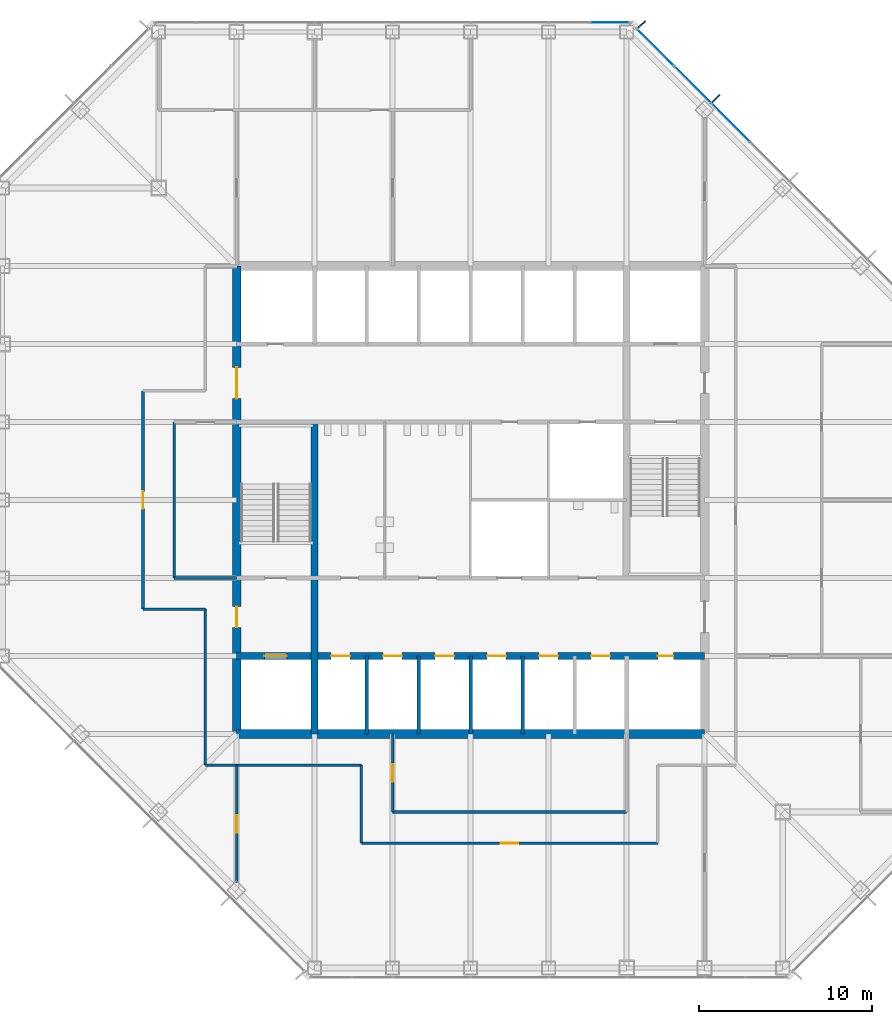
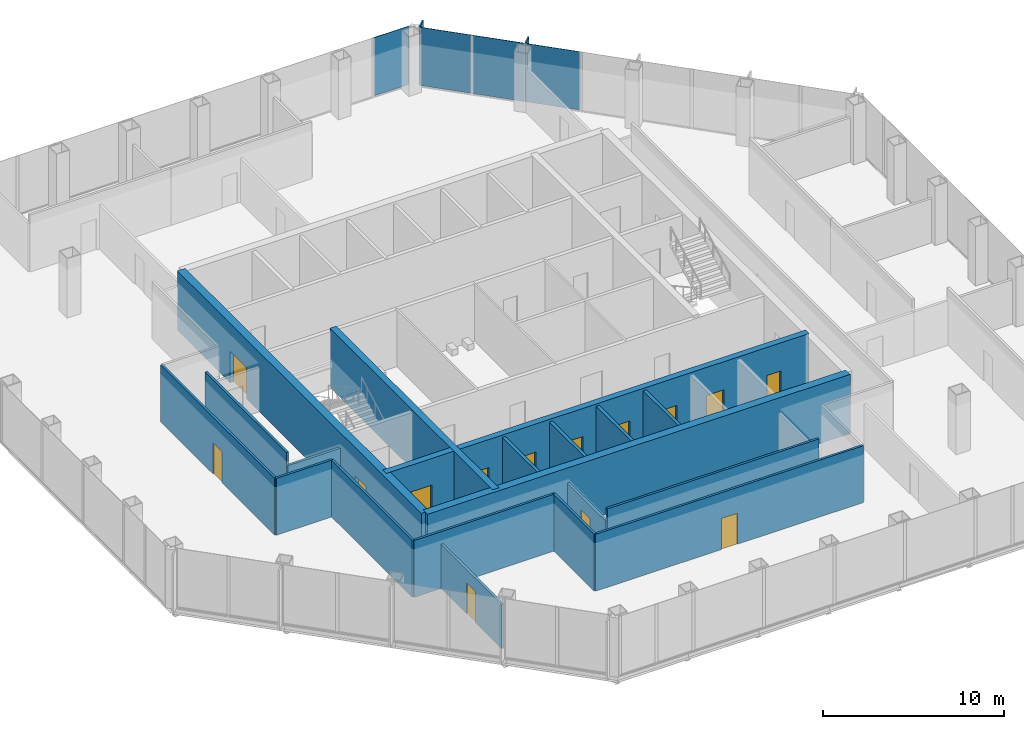
# One storey, part 8 of 12: 19 walls, 14 doors, 6 plates, 14 openings, 2 elements without a shape of their own.
"""IFC4 building model written with IfcOpenShell, lengths in metres."""

from ifc_helpers import new_model, si_unit, direction, frame, frame_2d, origin, origin_2d, place, context, subcontext, project, spatial, rectangle, extrude, material, layer, layer_set, type_object, element, fill, aggregate, save


model = new_model("IFC4")

# Units and contexts
model_context = context("Model", 3, precision=1e-05, world=origin(), true_north=direction((0.0, 1.0)))
body_context = subcontext(model_context, "Body", "Model", "MODEL_VIEW")
ifc_project = project(units=[si_unit("LENGTHUNIT", "METRE"), si_unit("AREAUNIT", "SQUARE_METRE"), si_unit("VOLUMEUNIT", "CUBIC_METRE"), si_unit("PLANEANGLEUNIT", "RADIAN"), si_unit("MASSUNIT", "GRAM", prefix="KILO")], contexts=[model_context])

# Site, building, storey
site_placement = place(None, origin())
site = spatial("IfcSite", under=ifc_project, at=site_placement, CompositionType="ELEMENT")
building_placement = place(site_placement, origin())
building = spatial("IfcBuilding", under=site, at=building_placement, Name="Corais Broadcast Tower", CompositionType="ELEMENT")
storey_placement = place(building_placement, frame((0.0, 0.0, 115.60009765625)))
storey = spatial("IfcBuildingStorey", under=building, at=storey_placement, Name="L25", CompositionType="ELEMENT", Elevation=115.60009765625)

# Curtain wall, plates
ifc_material_1 = material(Name="Aluminium and glass", Category="aluminium")
curtain_wall_type = type_object("IfcCurtainWallType", Name="Unitised fritted curtain wall CW2", PredefinedType="NOTDEFINED", material=ifc_material_1)
curtain_wall_1_placement = place(storey_placement, origin())
curtain_wall_1 = element("IfcCurtainWall", 1, at=curtain_wall_1_placement, inside=storey, type_object=curtain_wall_type, Name="CW2 curtain wall L25 5", PredefinedType="NOTDEFINED")
ifc_material_2 = material(Name="Ceramic-fritted laminated glass", Category="glass")
ifc_layer_1 = layer(ifc_material_2, 0.028076171875)
ifc_layer_set_1 = layer_set([ifc_layer_1], Name="Ceramic-fritted laminated glass")
plate_type_1 = type_object("IfcPlateType", Name="Fritted glass panel CW2", PredefinedType="CURTAIN_PANEL", material=ifc_layer_set_1)
plate_1_placement = place(storey_placement, frame((37.669677734375, 53.108154296875, 0.06494140625), z_axis=(0.0, 0.0, 1.0), x_axis=(0.707106781187, -0.707106781187, 0.0)))
plate_1 = element("IfcPlate", 2, at=plate_1_placement, type_object=plate_type_1, Name="CW2 panel 1", PredefinedType="CURTAIN_PANEL", context=body_context, shape_type="SweptSolid", body=[
    extrude(rectangle(XDim=2.9482421875, YDim=0.028076171875, at=origin_2d()), origin(), (0.0, 0.0, 1.0), 3.93505859375),
])
plate_2_placement = place(storey_placement, frame((42.013916015625, 48.763916015625, 0.06494140625), z_axis=(0.0, 0.0, 1.0), x_axis=(0.707106781187, -0.707106781187, 0.0)))
plate_2 = element("IfcPlate", 3, at=plate_2_placement, type_object=plate_type_1, Name="CW2 panel 3", PredefinedType="CURTAIN_PANEL", context=body_context, shape_type="SweptSolid", body=[
    extrude(rectangle(XDim=3.116943359375, YDim=0.028076171875, at=origin_2d()), origin(), (0.0, 0.0, 1.0), 3.93505859375),
])

# Curtain wall, plate
curtain_wall_2_placement = place(storey_placement, origin())
curtain_wall_2 = element("IfcCurtainWall", 4, at=curtain_wall_2_placement, inside=storey, type_object=curtain_wall_type, Name="CW2 curtain wall L25 4", PredefinedType="NOTDEFINED")
ifc_material_3 = material(Name="Clear laminated glass", Category="glass")
ifc_layer_2 = layer(ifc_material_3, 0.031982421875)
ifc_layer_set_2 = layer_set([ifc_layer_2], Name="Clear laminated glass")
plate_type_2 = type_object("IfcPlateType", Name="Operable glass panel CW2", PredefinedType="CURTAIN_PANEL", material=ifc_layer_set_2)
plate_3_placement = place(storey_placement, frame((35.029541015625, 54.550048828125, 0.06494140625), z_axis=(0.0, 0.0, 1.0), x_axis=(1.0, 0.0, 0.0)))
plate_3 = element("IfcPlate", 5, at=plate_3_placement, type_object=plate_type_2, Name="CW2 operable panel 8", PredefinedType="CURTAIN_PANEL", context=body_context, shape_type="SweptSolid", body=[
    extrude(rectangle(XDim=2.266357421875, YDim=0.031982421875, at=origin_2d()), origin(), (0.0, 0.0, 1.0), 3.93505859375),
])
aggregate(curtain_wall_2, [plate_3])

# Plate
plate_4_placement = place(storey_placement, frame((39.81201171875, 50.9658203125, 0.06494140625), z_axis=(0.0, 0.0, 1.0), x_axis=(0.707106781187, -0.707106781187, 0.0)))
plate_4 = element("IfcPlate", 6, at=plate_4_placement, type_object=plate_type_2, Name="CW2 operable panel 2", PredefinedType="CURTAIN_PANEL", context=body_context, shape_type="SweptSolid", body=[
    extrude(rectangle(XDim=2.98095703125, YDim=0.031982421875, at=origin_2d()), origin(), (0.0, 0.0, 1.0), 3.93505859375),
])

aggregate(curtain_wall_1, [plate_1, plate_4, plate_2])

# Plates
ifc_material_4 = material(Name="Granite stone cladding", Category="masonry")
ifc_layer_3 = layer(ifc_material_4, 0.080078125)
ifc_layer_set_3 = layer_set([ifc_layer_3], Name="Granite stone cladding")
plate_type_3 = type_object("IfcPlateType", Name="Stone screen fin 80x600", PredefinedType="USERDEFINED", material=ifc_layer_set_3)
for number, where, z_axis, x_axis, name in (
    (7, (36.8779296875, 54.447021484375, 0.0), (0.0, 0.0, 1.0), (0.707106781187, -0.707106781187, 0.0), "SF1 stone screen fin L25"),
    (8, (41.16259765625, 50.16259765625, 0.0), (0.0, 0.0, 1.0), (0.707106781187, -0.707106781187, 0.0), "SF1 stone screen fin L25"),
):
    element("IfcPlate", number, at=place(storey_placement, frame(where, z_axis=z_axis, x_axis=x_axis)), inside=storey, type_object=plate_type_3, Name=name, ObjectType="STONE SCREEN FIN", PredefinedType="USERDEFINED", context=body_context, shape_type="SweptSolid", body=[
        extrude(rectangle(XDim=0.080078125, YDim=0.60009765625, at=origin_2d()), origin(), (0.0, 0.0, 1.0), 4.0),
    ])

# Wall
ifc_material_5 = material(Name="Concrete C50/60", Category="concrete")
ifc_layer_4 = layer(ifc_material_5, 0.39990234375)
ifc_layer_set_4 = layer_set([ifc_layer_4], Name="Concrete C50/60")
wall_type_1 = type_object("IfcWallType", Name="Core wall 400", PredefinedType="SHEAR", material=ifc_layer_set_4)
wall_1_placement = place(storey_placement, frame((18.0, 13.5, 0.0), z_axis=(0.0, 0.0, 1.0), x_axis=(0.0, 1.0, 0.0)))
element("IfcWall", 9, at=wall_1_placement, inside=storey, type_object=wall_type_1, Name="CR400 core wall X18A L25", PredefinedType="SHEAR", context=body_context, shape_type="SweptSolid", body=[
    extrude(rectangle(XDim=18.0, YDim=0.39990234375, at=frame_2d((9.0, 0.0))), origin(), (0.0, 0.0, 1.0), 4.0),
])

# Wall, openings, doors
wall_2_placement = place(storey_placement, frame((13.5, 18.0, 0.0), z_axis=(0.0, 0.0, 1.0), x_axis=(1.0, 0.0, 0.0)))
wall_2 = element("IfcWall", 10, at=wall_2_placement, inside=storey, type_object=wall_type_1, Name="CR400 core wall Y18 L25", PredefinedType="SHEAR", context=body_context, shape_type="SweptSolid", body=[
    extrude(rectangle(XDim=27.0, YDim=0.39990234375, at=frame_2d((13.5, 0.0))), origin(), (0.0, 0.0, 1.0), 4.0),
])
opening_1_placement = place(wall_2_placement, frame((24.300048828125, 0.0, 0.0)))
opening_1 = element("IfcOpeningElement", 11, at=opening_1_placement, cuts=wall_2, Name="Opening RD1", PredefinedType="OPENING", context=body_context, shape_type="SweptSolid", body=[
    extrude(rectangle(XDim=0.89990234375, YDim=2.10009765625, at=frame_2d((0.449951171875, 1.050048828125))), frame((0.0, 0.2099609375, 0.0), z_axis=(0.0, -1.0, 0.0), x_axis=(1.0, 0.0, 0.0)), (0.0, 0.0, 1.0), 0.419921875),
])
opening_2_placement = place(wall_2_placement, frame((5.449951171875, 0.0, 0.0)))
opening_2 = element("IfcOpeningElement", 12, at=opening_2_placement, cuts=wall_2, Name="Opening LD1", PredefinedType="OPENING", context=body_context, shape_type="SweptSolid", body=[
    extrude(rectangle(XDim=1.10009765625, YDim=2.10009765625, at=frame_2d((0.550048828125, 1.050048828125))), frame((0.0, 0.2099609375, 0.0), z_axis=(0.0, -1.0, 0.0), x_axis=(1.0, 0.0, 0.0)), (0.0, 0.0, 1.0), 0.419921875),
])
opening_3_placement = place(wall_2_placement, frame((8.449951171875, 0.0, 0.0)))
opening_3 = element("IfcOpeningElement", 13, at=opening_3_placement, cuts=wall_2, Name="Opening LD1", PredefinedType="OPENING", context=body_context, shape_type="SweptSolid", body=[
    extrude(rectangle(XDim=1.10009765625, YDim=2.10009765625, at=frame_2d((0.550048828125, 1.050048828125))), frame((0.0, 0.2099609375, 0.0), z_axis=(0.0, -1.0, 0.0), x_axis=(1.0, 0.0, 0.0)), (0.0, 0.0, 1.0), 0.419921875),
])
opening_4_placement = place(wall_2_placement, frame((11.449951171875, 0.0, 0.0)))
opening_4 = element("IfcOpeningElement", 14, at=opening_4_placement, cuts=wall_2, Name="Opening LD1", PredefinedType="OPENING", context=body_context, shape_type="SweptSolid", body=[
    extrude(rectangle(XDim=1.10009765625, YDim=2.10009765625, at=frame_2d((0.550048828125, 1.050048828125))), frame((0.0, 0.2099609375, 0.0), z_axis=(0.0, -1.0, 0.0), x_axis=(1.0, 0.0, 0.0)), (0.0, 0.0, 1.0), 0.419921875),
])
opening_5_placement = place(wall_2_placement, frame((14.449951171875, 0.0, 0.0)))
opening_5 = element("IfcOpeningElement", 15, at=opening_5_placement, cuts=wall_2, Name="Opening LD1", PredefinedType="OPENING", context=body_context, shape_type="SweptSolid", body=[
    extrude(rectangle(XDim=1.10009765625, YDim=2.10009765625, at=frame_2d((0.550048828125, 1.050048828125))), frame((0.0, 0.2099609375, 0.0), z_axis=(0.0, -1.0, 0.0), x_axis=(1.0, 0.0, 0.0)), (0.0, 0.0, 1.0), 0.419921875),
])
opening_6_placement = place(wall_2_placement, frame((17.449951171875, 0.0, 0.0)))
opening_6 = element("IfcOpeningElement", 16, at=opening_6_placement, cuts=wall_2, Name="Opening LD1", PredefinedType="OPENING", context=body_context, shape_type="SweptSolid", body=[
    extrude(rectangle(XDim=1.10009765625, YDim=2.10009765625, at=frame_2d((0.550048828125, 1.050048828125))), frame((0.0, 0.2099609375, 0.0), z_axis=(0.0, -1.0, 0.0), x_axis=(1.0, 0.0, 0.0)), (0.0, 0.0, 1.0), 0.419921875),
])
opening_7_placement = place(wall_2_placement, frame((20.449951171875, 0.0, 0.0)))
opening_7 = element("IfcOpeningElement", 17, at=opening_7_placement, cuts=wall_2, Name="Opening LD1", PredefinedType="OPENING", context=body_context, shape_type="SweptSolid", body=[
    extrude(rectangle(XDim=1.10009765625, YDim=2.10009765625, at=frame_2d((0.550048828125, 1.050048828125))), frame((0.0, 0.2099609375, 0.0), z_axis=(0.0, -1.0, 0.0), x_axis=(1.0, 0.0, 0.0)), (0.0, 0.0, 1.0), 0.419921875),
])
opening_8_placement = place(wall_2_placement, frame((1.60009765625, 0.0, 0.0)))
opening_8 = element("IfcOpeningElement", 18, at=opening_8_placement, cuts=wall_2, Name="Opening LD2", PredefinedType="OPENING", context=body_context, shape_type="SweptSolid", body=[
    extrude(rectangle(XDim=1.300048828125, YDim=2.199951171875, at=frame_2d((0.64990234375, 1.10009765625))), frame((0.0, 0.2099609375, 0.0), z_axis=(0.0, -1.0, 0.0), x_axis=(1.0, 0.0, 0.0)), (0.0, 0.0, 1.0), 0.419921875),
])
ifc_material_6 = material(Name="Stainless steel lift door", Category="steel")
door_type_1 = type_object("IfcDoorType", Name="Lift landing door 1100x2100", OperationType="SLIDING_TO_LEFT", PredefinedType="DOOR", material=ifc_material_6)
door_1_placement = place(opening_2_placement, origin())
door_1 = element("IfcDoor", 19, at=door_1_placement, inside=storey, type_object=door_type_1, Name="LD1 PM1 landing door L25", OperationType="SLIDING_TO_LEFT", OverallHeight=2.10009765625, OverallWidth=1.10009765625, PredefinedType="DOOR", context=body_context, shape_type="SweptSolid", body=[
    extrude(rectangle(XDim=1.10009765625, YDim=2.10009765625, at=frame_2d((0.550048828125, 1.050048828125))), frame((0.0, 0.02490234375, 0.0), z_axis=(0.0, -1.0, 0.0), x_axis=(1.0, 0.0, 0.0)), (0.0, 0.0, 1.0), 0.050048828125),
])
fill(opening_2, door_1)
door_2_placement = place(opening_3_placement, origin())
door_2 = element("IfcDoor", 20, at=door_2_placement, inside=storey, type_object=door_type_1, Name="LD1 PM2 landing door L25", OperationType="SLIDING_TO_LEFT", OverallHeight=2.10009765625, OverallWidth=1.10009765625, PredefinedType="DOOR", context=body_context, shape_type="SweptSolid", body=[
    extrude(rectangle(XDim=1.10009765625, YDim=2.10009765625, at=frame_2d((0.550048828125, 1.050048828125))), frame((0.0, 0.02490234375, 0.0), z_axis=(0.0, -1.0, 0.0), x_axis=(1.0, 0.0, 0.0)), (0.0, 0.0, 1.0), 0.050048828125),
])
fill(opening_3, door_2)
door_3_placement = place(opening_4_placement, origin())
door_3 = element("IfcDoor", 21, at=door_3_placement, inside=storey, type_object=door_type_1, Name="LD1 PM3 landing door L25", OperationType="SLIDING_TO_LEFT", OverallHeight=2.10009765625, OverallWidth=1.10009765625, PredefinedType="DOOR", context=body_context, shape_type="SweptSolid", body=[
    extrude(rectangle(XDim=1.10009765625, YDim=2.10009765625, at=frame_2d((0.550048828125, 1.050048828125))), frame((0.0, 0.02490234375, 0.0), z_axis=(0.0, -1.0, 0.0), x_axis=(1.0, 0.0, 0.0)), (0.0, 0.0, 1.0), 0.050048828125),
])
fill(opening_4, door_3)
door_4_placement = place(opening_5_placement, origin())
door_4 = element("IfcDoor", 22, at=door_4_placement, inside=storey, type_object=door_type_1, Name="LD1 PM4 landing door L25", OperationType="SLIDING_TO_LEFT", OverallHeight=2.10009765625, OverallWidth=1.10009765625, PredefinedType="DOOR", context=body_context, shape_type="SweptSolid", body=[
    extrude(rectangle(XDim=1.10009765625, YDim=2.10009765625, at=frame_2d((0.550048828125, 1.050048828125))), frame((0.0, 0.02490234375, 0.0), z_axis=(0.0, -1.0, 0.0), x_axis=(1.0, 0.0, 0.0)), (0.0, 0.0, 1.0), 0.050048828125),
])
fill(opening_5, door_4)
door_5_placement = place(opening_6_placement, origin())
door_5 = element("IfcDoor", 23, at=door_5_placement, inside=storey, type_object=door_type_1, Name="LD1 PM5 landing door L25", OperationType="SLIDING_TO_LEFT", OverallHeight=2.10009765625, OverallWidth=1.10009765625, PredefinedType="DOOR", context=body_context, shape_type="SweptSolid", body=[
    extrude(rectangle(XDim=1.10009765625, YDim=2.10009765625, at=frame_2d((0.550048828125, 1.050048828125))), frame((0.0, 0.02490234375, 0.0), z_axis=(0.0, -1.0, 0.0), x_axis=(1.0, 0.0, 0.0)), (0.0, 0.0, 1.0), 0.050048828125),
])
fill(opening_6, door_5)
door_6_placement = place(opening_7_placement, origin())
door_6 = element("IfcDoor", 24, at=door_6_placement, inside=storey, type_object=door_type_1, Name="LD1 PM6 landing door L25", OperationType="SLIDING_TO_LEFT", OverallHeight=2.10009765625, OverallWidth=1.10009765625, PredefinedType="DOOR", context=body_context, shape_type="SweptSolid", body=[
    extrude(rectangle(XDim=1.10009765625, YDim=2.10009765625, at=frame_2d((0.550048828125, 1.050048828125))), frame((0.0, 0.02490234375, 0.0), z_axis=(0.0, -1.0, 0.0), x_axis=(1.0, 0.0, 0.0)), (0.0, 0.0, 1.0), 0.050048828125),
])
fill(opening_7, door_6)
ifc_material_7 = material(Name="Stainless steel lift door", Category="steel")
door_type_2 = type_object("IfcDoorType", Name="Lift landing door 1300x2200", OperationType="SLIDING_TO_LEFT", PredefinedType="DOOR", material=ifc_material_7)
door_7_placement = place(opening_8_placement, origin())
door_7 = element("IfcDoor", 25, at=door_7_placement, inside=storey, type_object=door_type_2, Name="LD2 FL1 landing door L25", OperationType="SLIDING_TO_LEFT", OverallHeight=2.199951171875, OverallWidth=1.300048828125, PredefinedType="DOOR", context=body_context, shape_type="SweptSolid", body=[
    extrude(rectangle(XDim=1.300048828125, YDim=2.199951171875, at=frame_2d((0.64990234375, 1.10009765625))), frame((0.0, 0.02490234375, 0.0), z_axis=(0.0, -1.0, 0.0), x_axis=(1.0, 0.0, 0.0)), (0.0, 0.0, 1.0), 0.050048828125),
])
fill(opening_8, door_7)
ifc_material_8 = material(Name="Steel fire door", Category="steel")
door_type_3 = type_object("IfcDoorType", Name="Riser door 900x2100", OperationType="SINGLE_SWING_LEFT", PredefinedType="DOOR", material=ifc_material_8)
door_8_placement = place(opening_1_placement, origin())
door_8 = element("IfcDoor", 26, at=door_8_placement, inside=storey, type_object=door_type_3, Name="RD1 riser door L25", OperationType="SINGLE_SWING_RIGHT", OverallHeight=2.10009765625, OverallWidth=0.89990234375, PredefinedType="DOOR", context=body_context, shape_type="SweptSolid", body=[
    extrude(rectangle(XDim=0.89990234375, YDim=2.10009765625, at=frame_2d((0.449951171875, 1.050048828125))), frame((0.0, 0.02490234375, 0.0), z_axis=(0.0, -1.0, 0.0), x_axis=(1.0, 0.0, 0.0)), (0.0, 0.0, 1.0), 0.050048828125),
])
fill(opening_1, door_8)

# Wall
ifc_material_9 = material(Name="Concrete C50/60", Category="concrete")
ifc_layer_5 = layer(ifc_material_9, 0.5)
ifc_layer_set_5 = layer_set([ifc_layer_5], Name="Concrete C50/60")
wall_type_2 = type_object("IfcWallType", Name="Core wall 500", PredefinedType="SHEAR", material=ifc_layer_set_5)
wall_3_placement = place(storey_placement, frame((13.5, 13.5, 0.0), z_axis=(0.0, 0.0, 1.0), x_axis=(1.0, 0.0, 0.0)))
element("IfcWall", 27, at=wall_3_placement, inside=storey, type_object=wall_type_2, Name="CR500 core wall S L25", PredefinedType="SHEAR", context=body_context, shape_type="SweptSolid", body=[
    extrude(rectangle(XDim=27.0, YDim=0.5, at=frame_2d((13.5, 0.0))), origin(), (0.0, 0.0, 1.0), 4.0),
])

# Wall, openings, doors
wall_4_placement = place(storey_placement, frame((13.5, 40.5, 0.0), z_axis=(0.0, 0.0, 1.0), x_axis=(0.0, -1.0, 0.0)))
wall_4 = element("IfcWall", 28, at=wall_4_placement, inside=storey, type_object=wall_type_2, Name="CR500 core wall W L25", PredefinedType="SHEAR", context=body_context, shape_type="SweptSolid", body=[
    extrude(rectangle(XDim=27.0, YDim=0.5, at=frame_2d((13.5, 0.0))), origin(), (0.0, 0.0, 1.0), 4.0),
])
opening_9_placement = place(wall_4_placement, frame((19.64990234375, 0.0, 0.0)))
opening_9 = element("IfcOpeningElement", 29, at=opening_9_placement, cuts=wall_4, Name="Opening FD1", PredefinedType="OPENING", context=body_context, shape_type="SweptSolid", body=[
    extrude(rectangle(XDim=1.199951171875, YDim=2.10009765625, at=frame_2d((0.60009765625, 1.050048828125))), frame((0.0, 0.260009765625, 0.0), z_axis=(0.0, -1.0, 0.0), x_axis=(1.0, 0.0, 0.0)), (0.0, 0.0, 1.0), 0.52001953125),
])
opening_10_placement = place(wall_4_placement, frame((5.85009765625, 0.0, 0.0)))
opening_10 = element("IfcOpeningElement", 30, at=opening_10_placement, cuts=wall_4, Name="Opening FD2", PredefinedType="OPENING", context=body_context, shape_type="SweptSolid", body=[
    extrude(rectangle(XDim=1.800048828125, YDim=2.10009765625, at=frame_2d((0.89990234375, 1.050048828125))), frame((0.0, 0.260009765625, 0.0), z_axis=(0.0, -1.0, 0.0), x_axis=(1.0, 0.0, 0.0)), (0.0, 0.0, 1.0), 0.52001953125),
])
ifc_material_10 = material(Name="Steel fire door", Category="steel")
door_type_4 = type_object("IfcDoorType", Name="Fire door 1200x2100", OperationType="SINGLE_SWING_LEFT", PredefinedType="DOOR", material=ifc_material_10)
door_9_placement = place(opening_9_placement, origin())
door_9 = element("IfcDoor", 31, at=door_9_placement, inside=storey, type_object=door_type_4, Name="FD1 fire lobby A door L25", OperationType="SINGLE_SWING_RIGHT", OverallHeight=2.10009765625, OverallWidth=1.199951171875, PredefinedType="DOOR", context=body_context, shape_type="SweptSolid", body=[
    extrude(rectangle(XDim=1.199951171875, YDim=2.10009765625, at=frame_2d((0.60009765625, 1.050048828125))), frame((0.0, 0.02490234375, 0.0), z_axis=(0.0, -1.0, 0.0), x_axis=(1.0, 0.0, 0.0)), (0.0, 0.0, 1.0), 0.050048828125),
])
fill(opening_9, door_9)
ifc_material_11 = material(Name="Steel fire door", Category="steel")
door_type_5 = type_object("IfcDoorType", Name="Fire door pair 1800x2100", OperationType="DOUBLE_DOOR_SINGLE_SWING", PredefinedType="DOOR", material=ifc_material_11)
door_10_placement = place(opening_10_placement, origin())
door_10 = element("IfcDoor", 32, at=door_10_placement, inside=storey, type_object=door_type_5, Name="FD2 lift lobby door L25", OperationType="SINGLE_SWING_LEFT", OverallHeight=2.10009765625, OverallWidth=1.800048828125, PredefinedType="DOOR", context=body_context, shape_type="SweptSolid", body=[
    extrude(rectangle(XDim=1.800048828125, YDim=2.10009765625, at=frame_2d((0.89990234375, 1.050048828125))), frame((0.0, 0.02490234375, 0.0), z_axis=(0.0, -1.0, 0.0), x_axis=(1.0, 0.0, 0.0)), (0.0, 0.0, 1.0), 0.050048828125),
])
fill(opening_10, door_10)

# Wall, opening, door
ifc_material_12 = material(Name="Gypsum board on steel studs", Category="steel")
ifc_layer_6 = layer(ifc_material_12, 0.14990234375)
ifc_layer_set_6 = layer_set([ifc_layer_6], Name="Gypsum board on steel studs")
wall_type_3 = type_object("IfcWallType", Name="Partition 150", PredefinedType="PARTITIONING", material=ifc_layer_set_6)
wall_5_placement = place(storey_placement, frame((20.699951171875, 7.199951171875, 0.0), z_axis=(0.0, 0.0, 1.0), x_axis=(1.0, 0.0, 0.0)))
wall_5 = element("IfcWall", 33, at=wall_5_placement, inside=storey, type_object=wall_type_3, Name="IW3 corridor wall L25", PredefinedType="PARTITIONING", context=body_context, shape_type="SweptSolid", body=[
    extrude(rectangle(XDim=17.10009765625, YDim=0.14990234375, at=frame_2d((8.550048828125, 0.0))), origin(), (0.0, 0.0, 1.0), 3.83984375),
])
opening_11_placement = place(wall_5_placement, frame((8.050048828125, 0.0, 0.0)))
opening_11 = element("IfcOpeningElement", 34, at=opening_11_placement, cuts=wall_5, Name="Opening D1", PredefinedType="OPENING", context=body_context, shape_type="SweptSolid", body=[
    extrude(rectangle(XDim=1.0, YDim=2.10009765625, at=frame_2d((0.5, 1.050048828125))), frame((0.0, 0.0849609375, 0.0), z_axis=(0.0, -1.0, 0.0), x_axis=(1.0, 0.0, 0.0)), (0.0, 0.0, 1.0), 0.169921875),
])
ifc_material_13 = material(Name="Timber door", Category="wood")
door_type_6 = type_object("IfcDoorType", Name="Single door 1000x2100", OperationType="SINGLE_SWING_LEFT", PredefinedType="DOOR", material=ifc_material_13)
door_11_placement = place(opening_11_placement, origin())
door_11 = element("IfcDoor", 35, at=door_11_placement, inside=storey, type_object=door_type_6, Name="D1 workplace door L25", OperationType="SINGLE_SWING_LEFT", OverallHeight=2.10009765625, OverallWidth=1.0, PredefinedType="DOOR", context=body_context, shape_type="SweptSolid", body=[
    extrude(rectangle(XDim=1.0, YDim=2.10009765625, at=frame_2d((0.5, 1.050048828125))), frame((0.0, 0.02490234375, 0.0), z_axis=(0.0, -1.0, 0.0), x_axis=(1.0, 0.0, 0.0)), (0.0, 0.0, 1.0), 0.050048828125),
])
fill(opening_11, door_11)

wall_6_placement = place(storey_placement, frame((8.10009765625, 33.300048828125, 0.0), z_axis=(0.0, 0.0, 1.0), x_axis=(0.0, -1.0, 0.0)))
wall_6 = element("IfcWall", 36, at=wall_6_placement, inside=storey, type_object=wall_type_3, Name="IW3 corridor wall L25", PredefinedType="PARTITIONING", context=body_context, shape_type="SweptSolid", body=[
    extrude(rectangle(XDim=12.60009765625, YDim=0.14990234375, at=frame_2d((6.300048828125, 0.0))), origin(), (0.0, 0.0, 1.0), 3.83984375),
])
opening_12_placement = place(wall_6_placement, frame((5.800048828125, 0.0, 0.0)))
opening_12 = element("IfcOpeningElement", 37, at=opening_12_placement, cuts=wall_6, Name="Opening D1", PredefinedType="OPENING", context=body_context, shape_type="SweptSolid", body=[
    extrude(rectangle(XDim=1.0, YDim=2.10009765625, at=frame_2d((0.5, 1.050048828125))), frame((0.0, 0.0849609375, 0.0), z_axis=(0.0, -1.0, 0.0), x_axis=(1.0, 0.0, 0.0)), (0.0, 0.0, 1.0), 0.169921875),
])
door_12_placement = place(opening_12_placement, origin())
door_12 = element("IfcDoor", 38, at=door_12_placement, inside=storey, type_object=door_type_6, Name="D1 workplace door L25", OperationType="SINGLE_SWING_LEFT", OverallHeight=2.10009765625, OverallWidth=1.0, PredefinedType="DOOR", context=body_context, shape_type="SweptSolid", body=[
    extrude(rectangle(XDim=1.0, YDim=2.10009765625, at=frame_2d((0.5, 1.050048828125))), frame((0.0, 0.02490234375, 0.0), z_axis=(0.0, -1.0, 0.0), x_axis=(1.0, 0.0, 0.0)), (0.0, 0.0, 1.0), 0.050048828125),
])
fill(opening_12, door_12)

# Walls
for number, where, z_axis, x_axis, name in (
    (39, (11.699951171875, 11.699951171875, 0.0), (0.0, 0.0, 1.0), (1.0, 0.0, 0.0), "IW3 corridor wall L25"),
    (40, (11.699951171875, 20.699951171875, 0.0), (0.0, 0.0, 1.0), (0.0, -1.0, 0.0), "IW3 corridor wall L25"),
):
    element("IfcWall", number, at=place(storey_placement, frame(where, z_axis=z_axis, x_axis=x_axis)), inside=storey, type_object=wall_type_3, Name=name, PredefinedType="PARTITIONING", context=body_context, shape_type="SweptSolid", body=[
        extrude(rectangle(XDim=9.0, YDim=0.14990234375, at=frame_2d((4.5, 0.0))), origin(), (0.0, 0.0, 1.0), 3.83984375),
    ])
wall_7_placement = place(storey_placement, frame((20.699951171875, 11.699951171875, 0.0), z_axis=(0.0, 0.0, 1.0), x_axis=(0.0, -1.0, 0.0)))
element("IfcWall", 41, at=wall_7_placement, inside=storey, type_object=wall_type_3, Name="IW3 corridor wall L25", PredefinedType="PARTITIONING", context=body_context, shape_type="SweptSolid", body=[
    extrude(rectangle(XDim=4.5, YDim=0.14990234375, at=frame_2d((2.25, 0.0))), origin(), (0.0, 0.0, 1.0), 3.83984375),
])
wall_8_placement = place(storey_placement, frame((8.10009765625, 20.699951171875, 0.0), z_axis=(0.0, 0.0, 1.0), x_axis=(1.0, 0.0, 0.0)))
element("IfcWall", 42, at=wall_8_placement, inside=storey, type_object=wall_type_3, Name="IW3 corridor wall L25", PredefinedType="PARTITIONING", context=body_context, shape_type="SweptSolid", body=[
    extrude(rectangle(XDim=3.599853515625, YDim=0.14990234375, at=frame_2d((1.7998046875, 0.0))), origin(), (0.0, 0.0, 1.0), 3.83984375),
])
wall_9_placement = place(storey_placement, frame((9.89990234375, 22.5, 0.0), z_axis=(0.0, 0.0, 1.0), x_axis=(1.0, 0.0, 0.0)))
element("IfcWall", 43, at=wall_9_placement, inside=storey, type_object=wall_type_3, Name="IW3 partition L25", PredefinedType="PARTITIONING", context=body_context, shape_type="SweptSolid", body=[
    extrude(rectangle(XDim=3.60009765625, YDim=0.14990234375, at=frame_2d((1.800048828125, 0.0))), origin(), (0.0, 0.0, 1.0), 2.989013671875),
])
wall_10_placement = place(storey_placement, frame((9.89990234375, 31.5, 0.0), z_axis=(0.0, 0.0, 1.0), x_axis=(0.0, -1.0, 0.0)))
element("IfcWall", 44, at=wall_10_placement, inside=storey, type_object=wall_type_3, Name="IW3 partition L25", PredefinedType="PARTITIONING", context=body_context, shape_type="SweptSolid", body=[
    extrude(rectangle(XDim=9.0, YDim=0.14990234375, at=frame_2d((4.5, 0.0))), origin(), (0.0, 0.0, 1.0), 3.83984375),
])
wall_11_placement = place(storey_placement, frame((22.5, 9.0, 0.0), z_axis=(0.0, 0.0, 1.0), x_axis=(1.0, 0.0, 0.0)))
element("IfcWall", 45, at=wall_11_placement, inside=storey, type_object=wall_type_3, Name="IW3 partition L25", PredefinedType="PARTITIONING", context=body_context, shape_type="SweptSolid", body=[
    extrude(rectangle(XDim=13.5, YDim=0.14990234375, at=frame_2d((6.75, 0.0))), origin(), (0.0, 0.0, 1.0), 3.83984375),
])

# Wall, opening, door
wall_12_placement = place(storey_placement, frame((22.5, 13.5, 0.0), z_axis=(0.0, 0.0, 1.0), x_axis=(0.0, -1.0, 0.0)))
wall_12 = element("IfcWall", 46, at=wall_12_placement, inside=storey, type_object=wall_type_3, Name="IW3 partition L25", PredefinedType="PARTITIONING", context=body_context, shape_type="SweptSolid", body=[
    extrude(rectangle(XDim=4.5, YDim=0.14990234375, at=frame_2d((2.25, 0.0))), origin(), (0.0, 0.0, 1.0), 2.989013671875),
])
opening_13_placement = place(wall_12_placement, frame((1.75, 0.0, 0.0)))
opening_13 = element("IfcOpeningElement", 47, at=opening_13_placement, cuts=wall_12, Name="Opening D1", PredefinedType="OPENING", context=body_context, shape_type="SweptSolid", body=[
    extrude(rectangle(XDim=1.0, YDim=2.10009765625, at=frame_2d((0.5, 1.050048828125))), frame((0.0, 0.0849609375, 0.0), z_axis=(0.0, -1.0, 0.0), x_axis=(1.0, 0.0, 0.0)), (0.0, 0.0, 1.0), 0.169921875),
])
door_13_placement = place(opening_13_placement, origin())
door_13 = element("IfcDoor", 48, at=door_13_placement, inside=storey, type_object=door_type_6, Name="D1 Members lounge door", OperationType="SINGLE_SWING_LEFT", OverallHeight=2.10009765625, OverallWidth=1.0, PredefinedType="DOOR", context=body_context, shape_type="SweptSolid", body=[
    extrude(rectangle(XDim=1.0, YDim=2.10009765625, at=frame_2d((0.5, 1.050048828125))), frame((0.0, 0.02490234375, 0.0), z_axis=(0.0, -1.0, 0.0), x_axis=(1.0, 0.0, 0.0)), (0.0, 0.0, 1.0), 0.050048828125),
])
fill(opening_13, door_13)

wall_13_placement = place(storey_placement, frame((13.5, 4.919921875, 0.0), z_axis=(0.0, 0.0, 1.0), x_axis=(0.0, 1.0, 0.0)))
wall_13 = element("IfcWall", 49, at=wall_13_placement, inside=storey, type_object=wall_type_3, Name="IW3 partition L25", PredefinedType="PARTITIONING", context=body_context, shape_type="SweptSolid", body=[
    extrude(rectangle(XDim=6.780029296875, YDim=0.14990234375, at=frame_2d((3.39013671875, 0.0))), origin(), (0.0, 0.0, 1.0), 2.989013671875),
])
opening_14_placement = place(wall_13_placement, frame((2.889892578125, 0.0, 0.0)))
opening_14 = element("IfcOpeningElement", 50, at=opening_14_placement, cuts=wall_13, Name="Opening D1", PredefinedType="OPENING", context=body_context, shape_type="SweptSolid", body=[
    extrude(rectangle(XDim=1.0, YDim=2.10009765625, at=frame_2d((0.5, 1.050048828125))), frame((0.0, 0.0849609375, 0.0), z_axis=(0.0, -1.0, 0.0), x_axis=(1.0, 0.0, 0.0)), (0.0, 0.0, 1.0), 0.169921875),
])
door_14_placement = place(opening_14_placement, origin())
door_14 = element("IfcDoor", 51, at=door_14_placement, inside=storey, type_object=door_type_6, Name="D1 team room door L25", OperationType="SINGLE_SWING_LEFT", OverallHeight=2.10009765625, OverallWidth=1.0, PredefinedType="DOOR", context=body_context, shape_type="SweptSolid", body=[
    extrude(rectangle(XDim=1.0, YDim=2.10009765625, at=frame_2d((0.5, 1.050048828125))), frame((0.0, 0.02490234375, 0.0), z_axis=(0.0, -1.0, 0.0), x_axis=(1.0, 0.0, 0.0)), (0.0, 0.0, 1.0), 0.050048828125),
])
fill(opening_14, door_14)

# Walls
ifc_material_14 = material(Name="Concrete blockwork class A, grouted, two-hour", Category="masonry")
ifc_layer_7 = layer(ifc_material_14, 0.199951171875)
ifc_layer_set_7 = layer_set([ifc_layer_7], Name="Concrete blockwork class A, grouted, two-hour")
wall_type_4 = type_object("IfcWallType", Name="Shaft wall 200", PredefinedType="PARTITIONING", material=ifc_layer_set_7)
for number, where, z_axis, x_axis, name in (
    (52, (21.0, 13.5, 0.0), (0.0, 0.0, 1.0), (0.0, 1.0, 0.0), "IW1 shaft wall L25"),
    (53, (24.0, 13.5, 0.0), (0.0, 0.0, 1.0), (0.0, 1.0, 0.0), "IW1 shaft wall L25"),
    (54, (27.0, 13.5, 0.0), (0.0, 0.0, 1.0), (0.0, 1.0, 0.0), "IW1 shaft wall L25"),
    (55, (30.0, 13.5, 0.0), (0.0, 0.0, 1.0), (0.0, 1.0, 0.0), "IW1 shaft wall L25"),
):
    element("IfcWall", number, at=place(storey_placement, frame(where, z_axis=z_axis, x_axis=x_axis)), inside=storey, type_object=wall_type_4, Name=name, PredefinedType="PARTITIONING", context=body_context, shape_type="SweptSolid", body=[
        extrude(rectangle(XDim=4.5, YDim=0.199951171875, at=frame_2d((2.25, 0.0))), origin(), (0.0, 0.0, 1.0), 3.83984375),
    ])

save(model, "model.ifc")
